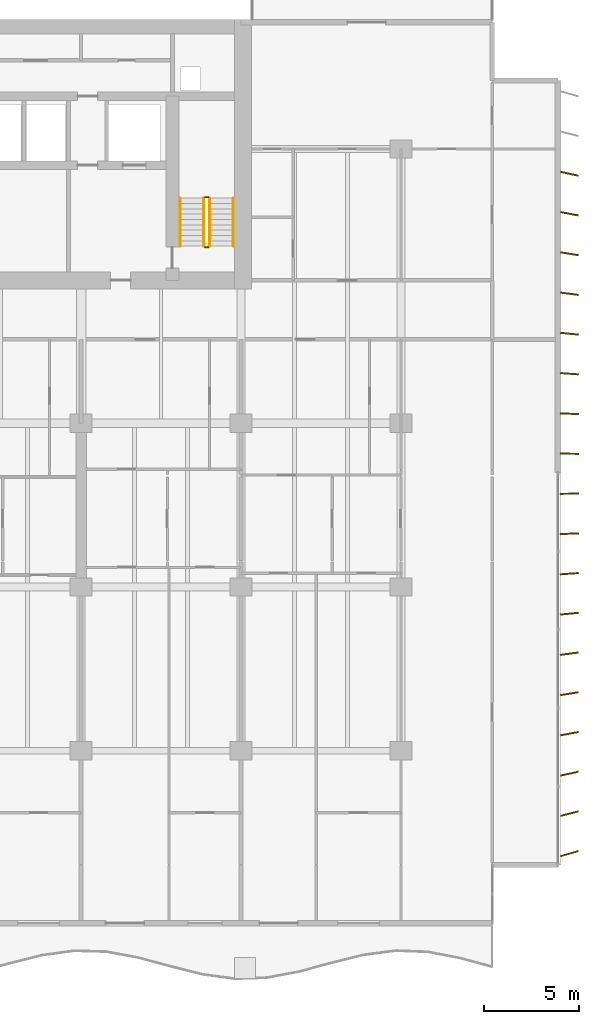
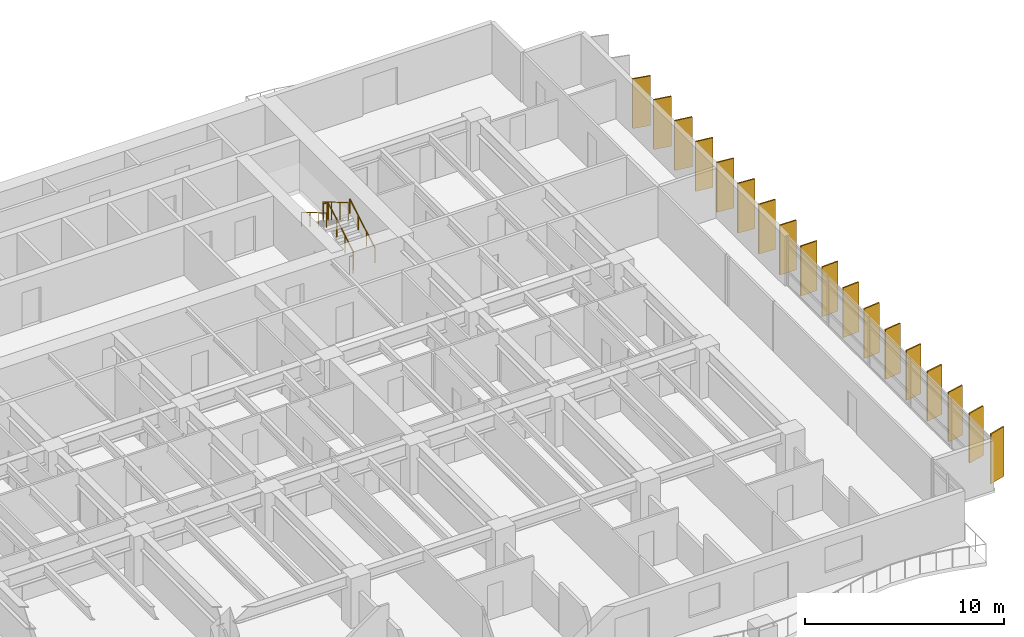
# One storey, part 16 of 17: 18 shading devices, 6 railings.
"""IFC4 building model written with IfcOpenShell, lengths in metres."""

from ifc_helpers import new_model, si_unit, direction, frame, origin, origin_2d, place, context, subcontext, project, spatial, rectangle, circle, extrude, material, material_profile, profile_set, type_object, element, save


model = new_model("IFC4")

# Units and contexts
model_context = context("Model", 3, precision=1e-05, world=origin(), true_north=direction((0.0, 1.0)))
body_context = subcontext(model_context, "Body", "Model", "MODEL_VIEW")
ifc_project = project(units=[si_unit("LENGTHUNIT", "METRE"), si_unit("AREAUNIT", "SQUARE_METRE"), si_unit("VOLUMEUNIT", "CUBIC_METRE"), si_unit("PLANEANGLEUNIT", "RADIAN"), si_unit("MASSUNIT", "GRAM", prefix="KILO")], contexts=[model_context])

# Site, building, storey
site_placement = place(None, origin())
site = spatial("IfcSite", under=ifc_project, at=site_placement, CompositionType="ELEMENT")
building_placement = place(site_placement, origin())
building = spatial("IfcBuilding", under=site, at=building_placement, Name="Caelmar Bay Residences", CompositionType="ELEMENT")
storey_placement = place(building_placement, frame((0.0, 0.0, 63.0)))
storey = spatial("IfcBuildingStorey", under=building, at=storey_placement, Name="L16", CompositionType="ELEMENT", Elevation=63.0)

# Railings
ifc_material_1 = material(Name="Painted galvanized steel stair guard 1100 mm", Category="steel")
railing_type_1 = type_object("IfcRailingType", Name="RL-GRD-1100", PredefinedType="GUARDRAIL", material=ifc_material_1)
railing_1_placement = place(storey_placement, frame((57.85009765625, 38.699951171875, 0.1650390625)))
element("IfcRailing", 1, at=railing_1_placement, inside=storey, type_object=railing_type_1, Name="L16 ST2 stair guard 1", PredefinedType="GUARDRAIL", context=body_context, shape_type="SweptSolid", body=[
    extrude(circle(Radius=0.02392578125, at=origin_2d()), frame((0.0, 0.0, 1.076171875), z_axis=(0.0, 0.861560626758, 0.507654692109), x_axis=(-1.0, 0.0, 0.0)), (0.0, 0.0, 1.0), 2.925048828125),
    extrude(circle(Radius=0.02099609375, at=origin_2d()), origin(), (0.0, 0.0, 1.0), 1.052001953125),
    extrude(circle(Radius=0.02099609375, at=origin_2d()), frame((0.0, 0.840087890625, 0.494873046875)), (0.0, 0.0, 1.0), 1.052001953125),
    extrude(circle(Radius=0.02099609375, at=origin_2d()), frame((0.0, 1.679931640625, 0.989990234375)), (0.0, 0.0, 1.0), 1.052001953125),
    extrude(circle(Radius=0.02099609375, at=origin_2d()), frame((0.0, 2.52001953125, 1.48486328125)), (0.0, 0.0, 1.0), 1.052001953125),
])
railing_2_placement = place(storey_placement, frame((57.800048828125, 41.27001953125, 1.64990234375)))
element("IfcRailing", 2, at=railing_2_placement, inside=storey, type_object=railing_type_1, Name="L16 ST2 stair guard 2", PredefinedType="GUARDRAIL", context=body_context, shape_type="SweptSolid", body=[
    extrude(circle(Radius=0.02392578125, at=origin_2d()), frame((0.0, 0.0, 1.076171875), z_axis=(-1.0, 0.0, 0.0), x_axis=(0.0, -1.0, 0.0)), (0.0, 0.0, 1.0), 0.199951171875),
    extrude(circle(Radius=0.02099609375, at=origin_2d()), origin(), (0.0, 0.0, 1.0), 1.052001953125),
    extrude(circle(Radius=0.02099609375, at=origin_2d()), frame((-0.199951171875, 0.0, 0.0)), (0.0, 0.0, 1.0), 1.052001953125),
])
railing_3_placement = place(storey_placement, frame((57.550048828125, 41.219970703125, 1.81494140625)))
element("IfcRailing", 3, at=railing_3_placement, inside=storey, type_object=railing_type_1, Name="L16 ST2 stair guard 3", PredefinedType="GUARDRAIL", context=body_context, shape_type="SweptSolid", body=[
    extrude(circle(Radius=0.02392578125, at=origin_2d()), frame((0.0, 0.0, 1.076171875), z_axis=(0.0, -0.86152411907, 0.507716645641), x_axis=(1.0, 0.0, 0.0)), (0.0, 0.0, 1.0), 2.925048828125),
    extrude(circle(Radius=0.02099609375, at=origin_2d()), origin(), (0.0, 0.0, 1.0), 1.052001953125),
    extrude(circle(Radius=0.02099609375, at=origin_2d()), frame((0.0, -0.840087890625, 0.4951171875)), (0.0, 0.0, 1.0), 1.052001953125),
    extrude(circle(Radius=0.02099609375, at=origin_2d()), frame((0.0, -1.679931640625, 0.989990234375)), (0.0, 0.0, 1.0), 1.052001953125),
    extrude(circle(Radius=0.02099609375, at=origin_2d()), frame((0.0, -2.52001953125, 1.485107421875)), (0.0, 0.0, 1.0), 1.052001953125),
])
railing_4_placement = place(storey_placement, frame((57.800048828125, 38.64990234375, 0.0)))
element("IfcRailing", 4, at=railing_4_placement, inside=storey, type_object=railing_type_1, Name="L16 ST2 stair guard 4", PredefinedType="GUARDRAIL", context=body_context, shape_type="SweptSolid", body=[
    extrude(circle(Radius=0.02392578125, at=origin_2d()), frame((0.0, 0.0, 1.076171875), z_axis=(-1.0, 0.0, 0.0), x_axis=(0.0, -1.0, 0.0)), (0.0, 0.0, 1.0), 0.199951171875),
    extrude(circle(Radius=0.02099609375, at=origin_2d()), origin(), (0.0, 0.0, 1.0), 1.052001953125),
    extrude(circle(Radius=0.02099609375, at=origin_2d()), frame((-0.199951171875, 0.0, 0.0)), (0.0, 0.0, 1.0), 1.052001953125),
])
ifc_material_2 = material(Name="Brushed bronze stainless-steel tubular handrail 900 mm", Category="steel")
railing_type_2 = type_object("IfcRailingType", Name="RL-HND-900", PredefinedType="HANDRAIL", material=ifc_material_2)
railing_5_placement = place(storey_placement, frame((59.10009765625, 38.699951171875, 0.1650390625)))
element("IfcRailing", 5, at=railing_5_placement, inside=storey, type_object=railing_type_2, Name="L16 ST2 stair handrail 1", PredefinedType="HANDRAIL", context=body_context, shape_type="SweptSolid", body=[
    extrude(circle(Radius=0.02392578125, at=origin_2d()), frame((0.0, 0.0, 0.8759765625), z_axis=(0.0, 0.861560626758, 0.507654692109), x_axis=(-1.0, 0.0, 0.0)), (0.0, 0.0, 1.0), 2.925048828125),
    extrude(circle(Radius=0.02099609375, at=origin_2d()), origin(), (0.0, 0.0, 1.0), 0.851806640625),
    extrude(circle(Radius=0.02099609375, at=origin_2d()), frame((0.0, 0.840087890625, 0.494873046875)), (0.0, 0.0, 1.0), 0.851806640625),
    extrude(circle(Radius=0.02099609375, at=origin_2d()), frame((0.0, 1.679931640625, 0.989990234375)), (0.0, 0.0, 1.0), 0.851806640625),
    extrude(circle(Radius=0.02099609375, at=origin_2d()), frame((0.0, 2.52001953125, 1.48486328125)), (0.0, 0.0, 1.0), 0.851806640625),
])
railing_6_placement = place(storey_placement, frame((56.300048828125, 41.219970703125, 1.81494140625)))
element("IfcRailing", 6, at=railing_6_placement, inside=storey, type_object=railing_type_2, Name="L16 ST2 stair handrail 2", PredefinedType="HANDRAIL", context=body_context, shape_type="SweptSolid", body=[
    extrude(circle(Radius=0.02392578125, at=origin_2d()), frame((0.0, 0.0, 0.8759765625), z_axis=(0.0, -0.86152411907, 0.507716645641), x_axis=(1.0, 0.0, 0.0)), (0.0, 0.0, 1.0), 2.925048828125),
    extrude(circle(Radius=0.02099609375, at=origin_2d()), origin(), (0.0, 0.0, 1.0), 0.851806640625),
    extrude(circle(Radius=0.02099609375, at=origin_2d()), frame((0.0, -0.840087890625, 0.4951171875)), (0.0, 0.0, 1.0), 0.851806640625),
    extrude(circle(Radius=0.02099609375, at=origin_2d()), frame((0.0, -1.679931640625, 0.989990234375)), (0.0, 0.0, 1.0), 0.851806640625),
    extrude(circle(Radius=0.02099609375, at=origin_2d()), frame((0.0, -2.52001953125, 1.485107421875)), (0.0, 0.0, 1.0), 0.851806640625),
])

# Shading devices
ifc_material_3 = material(Name="Anodised architectural bronze aluminium 6063-T6", Category="aluminium")
ifc_material_profile = material_profile(ifc_material_3, rectangle(XDim=0.074951171875, YDim=0.949951171875, at=origin_2d()), Name="BRONZE-FIN-75X950")
ifc_profile_set = profile_set([ifc_material_profile], Name="Anodised architectural bronze aluminium 6063-T6")
shading_device_type = type_object("IfcShadingDeviceType", Name="SHD-FIN-950", PredefinedType="USERDEFINED", material=ifc_profile_set)
for number, where, z_axis, x_axis, name in (
    (7, (76.75, 6.800048828125, 0.0), (0.0, 0.0, 1.0), (-0.275637355817, 0.961261695938, 0.0), "L16 East Bronze Solar Fin 1"),
    (8, (76.75, 8.89990234375, 0.0), (0.0, 0.0, 1.0), (-0.247337247968, 0.968929453452, 0.0), "L16 East Bronze Solar Fin 2"),
    (9, (76.75, 11.0, 0.0), (0.0, 0.0, 1.0), (-0.218654200292, 0.975802408633, 0.0), "L16 East Bronze Solar Fin 3"),
    (10, (76.75, 13.10009765625, 0.0), (0.0, 0.0, 1.0), (-0.189952291512, 0.981793321911, 0.0), "L16 East Bronze Solar Fin 4"),
    (11, (76.75, 15.199951171875, 0.0), (0.0, 0.0, 1.0), (-0.160914826518, 0.986968296657, 0.0), "L16 East Bronze Solar Fin 5"),
    (12, (76.75, 17.300048828125, 0.0), (0.0, 0.0, 1.0), (-0.131910382711, 0.991261646052, 0.0), "L16 East Bronze Solar Fin 6"),
    (13, (76.75, 19.39990234375, 0.0), (0.0, 0.0, 1.0), (-0.10261892683, 0.994720742649, 0.0), "L16 East Bronze Solar Fin 7"),
    (14, (76.75, 21.5, 0.0), (0.0, 0.0, 1.0), (-0.073412260224, 0.997301679558, 0.0), "L16 East Bronze Solar Fin 8"),
    (15, (76.75, 23.60009765625, 0.0), (0.0, 0.0, 1.0), (-0.044142481788, 0.999025245578, 0.0), "L16 East Bronze Solar Fin 9"),
    (16, (76.75, 25.699951171875, 0.0), (0.0, 0.0, 1.0), (-0.01466024053, 0.999892532899, 0.0), "L16 East Bronze Solar Fin 10"),
    (17, (76.75, 27.800048828125, 0.0), (0.0, 0.0, 1.0), (0.01466024053, 0.999892532899, 0.0), "L16 East Bronze Solar Fin 11"),
    (18, (76.75, 29.89990234375, 0.0), (0.0, 0.0, 1.0), (0.044142481788, 0.999025245578, 0.0), "L16 East Bronze Solar Fin 12"),
    (19, (76.75, 32.0, 0.0), (0.0, 0.0, 1.0), (0.073412260224, 0.997301679558, 0.0), "L16 East Bronze Solar Fin 13"),
    (20, (76.75, 34.10009765625, 0.0), (0.0, 0.0, 1.0), (0.10261892683, 0.994720742649, 0.0), "L16 East Bronze Solar Fin 14"),
    (21, (76.75, 36.199951171875, 0.0), (0.0, 0.0, 1.0), (0.131910382711, 0.991261646052, 0.0), "L16 East Bronze Solar Fin 15"),
    (22, (76.75, 38.300048828125, 0.0), (0.0, 0.0, 1.0), (0.160914826518, 0.986968296657, 0.0), "L16 East Bronze Solar Fin 16"),
    (23, (76.75, 40.39990234375, 0.0), (0.0, 0.0, 1.0), (0.189952291512, 0.981793321911, 0.0), "L16 East Bronze Solar Fin 17"),
    (24, (76.75, 42.5, 0.0), (0.0, 0.0, 1.0), (0.218654200292, 0.975802408633, 0.0), "L16 East Bronze Solar Fin 18"),
):
    element("IfcShadingDevice", number, at=place(storey_placement, frame(where, z_axis=z_axis, x_axis=x_axis)), inside=storey, type_object=shading_device_type, Name=name, ObjectType="FIN", PredefinedType="USERDEFINED", context=body_context, shape_type="SweptSolid", body=[
        extrude(rectangle(XDim=0.074951171875, YDim=0.949951171875, at=origin_2d()), origin(), (0.0, 0.0, 1.0), 3.050048828125),
    ])

save(model, "model.ifc")
